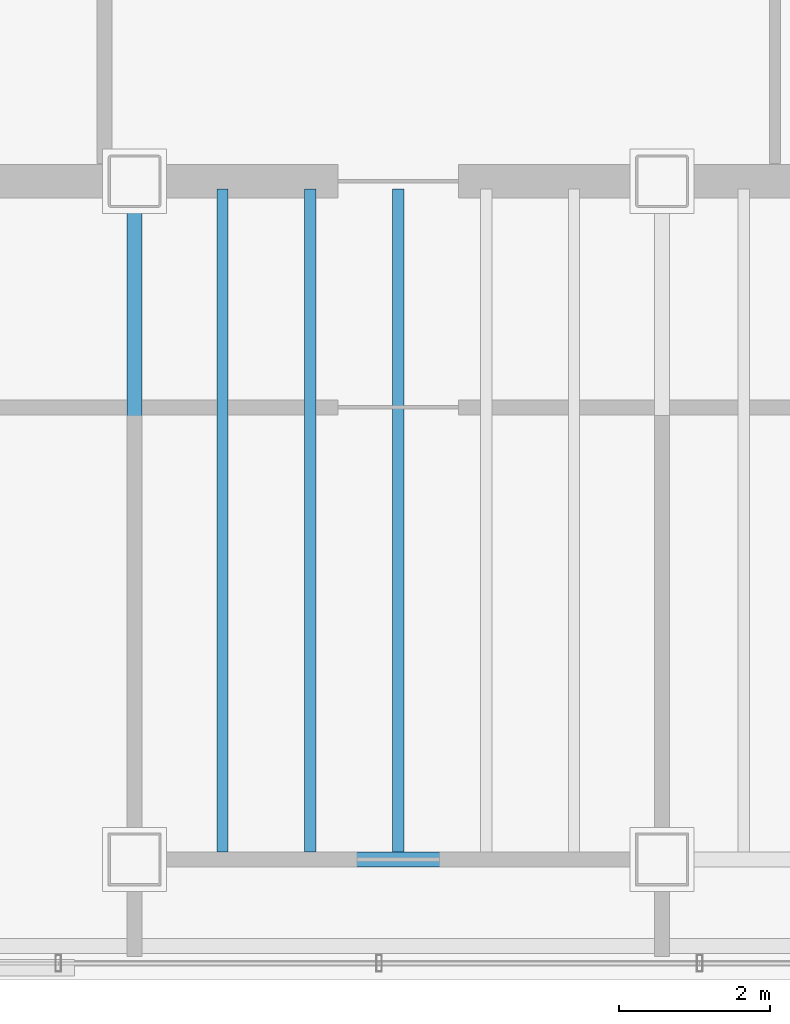
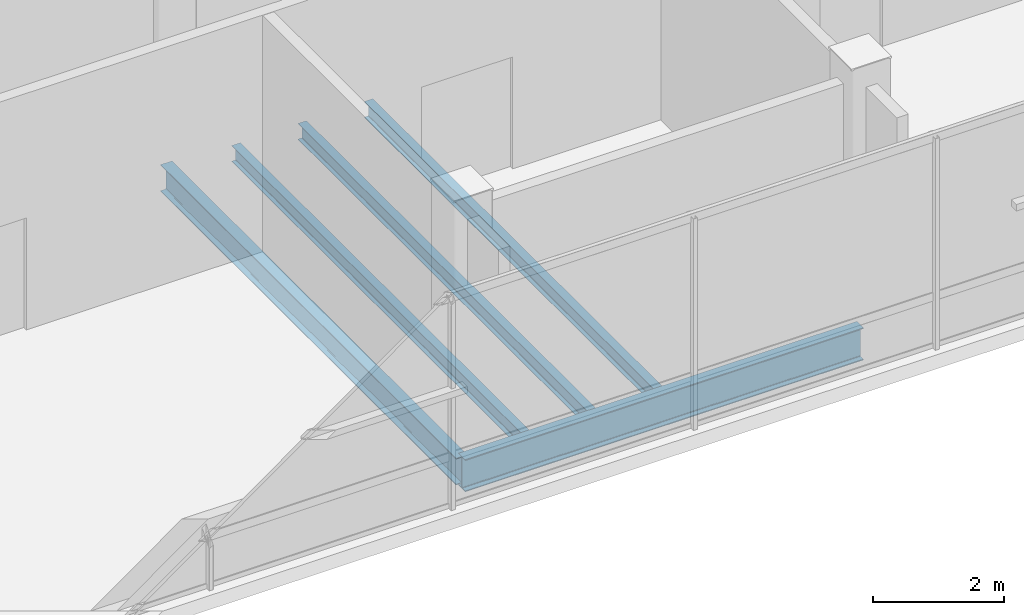
# One storey, part 4 of 20: 5 beams.
"""IFC4 building model written with IfcOpenShell, lengths in metres."""

from ifc_helpers import new_model, si_unit, direction, frame, origin, origin_2d, place, context, subcontext, project, spatial, i_section, extrude, material, material_profile, profile_set, type_object, element, save


model = new_model("IFC4")

# Units and contexts
model_context = context("Model", 3, precision=1e-05, world=origin(), true_north=direction((0.0, 1.0)))
body_context = subcontext(model_context, "Body", "Model", "MODEL_VIEW")
ifc_project = project(units=[si_unit("LENGTHUNIT", "METRE"), si_unit("AREAUNIT", "SQUARE_METRE"), si_unit("VOLUMEUNIT", "CUBIC_METRE"), si_unit("PLANEANGLEUNIT", "RADIAN"), si_unit("MASSUNIT", "GRAM", prefix="KILO")], contexts=[model_context])

# Site, building, storey
site_placement = place(None, origin())
site = spatial("IfcSite", under=ifc_project, at=site_placement, CompositionType="ELEMENT")
building_placement = place(site_placement, origin())
building = spatial("IfcBuilding", under=site, at=building_placement, Name="Noeulbin Bourse Tower", CompositionType="ELEMENT")
storey_placement = place(building_placement, frame((0.0, 0.0, 312.60009765625)))
storey = spatial("IfcBuildingStorey", under=building, at=storey_placement, Name="L77", CompositionType="ELEMENT", Elevation=312.60009765625)

# Beams
ifc_material = material(Name="Steel S355", Category="steel")
ifc_material_profile_1 = material_profile(ifc_material, i_section(OverallWidth=0.199951171875, OverallDepth=0.5, WebThickness=0.010009765625, FlangeThickness=0.01611328125, FilletRadius=0.02001953125, at=origin_2d()), Name="H-500x200x10x16", Category="LoadBearing")
ifc_profile_set_1 = profile_set([ifc_material_profile_1], Name="Steel S355")
beam_type_1 = type_object("IfcBeamType", Name="BM-GRD-500", PredefinedType="USERDEFINED", material=ifc_profile_set_1)
beam_1_placement = place(storey_placement, frame((24.0, 20.0, -0.510009765625), z_axis=(0.0, 1.0, 0.0), x_axis=(-1.0, 0.0, 0.0)))
element("IfcBeam", 1, at=beam_1_placement, inside=storey, type_object=beam_type_1, Name="Tower Primary Girder NS L77-2.1", ObjectType="GIRDER", PredefinedType="USERDEFINED", context=body_context, shape_type="SweptSolid", body=[
    extrude(i_section(OverallWidth=0.199951171875, OverallDepth=0.5, WebThickness=0.010009765625, FlangeThickness=0.01611328125, FilletRadius=0.02001953125, at=origin_2d()), origin(), (0.0, 0.0, 1.0), 9.0),
])
ifc_material_profile_2 = material_profile(ifc_material, i_section(OverallWidth=0.199951171875, OverallDepth=0.60009765625, WebThickness=0.010986328125, FlangeThickness=0.01708984375, FilletRadius=0.02197265625, at=origin_2d()), Name="H-600x200x11x17", Category="LoadBearing")
ifc_profile_set_2 = profile_set([ifc_material_profile_2], Name="Steel S355")
beam_type_2 = type_object("IfcBeamType", Name="BM-GRD-600", PredefinedType="USERDEFINED", material=ifc_profile_set_2)
beam_2_placement = place(storey_placement, frame((24.0, 20.0, -0.56005859375), z_axis=(1.0, 0.0, 0.0), x_axis=(0.0, 1.0, 0.0)))
element("IfcBeam", 2, at=beam_2_placement, inside=storey, type_object=beam_type_2, Name="Tower Primary Girder EW L77-1.1", ObjectType="GIRDER", PredefinedType="USERDEFINED", context=body_context, shape_type="SweptSolid", body=[
    extrude(i_section(OverallWidth=0.199951171875, OverallDepth=0.60009765625, WebThickness=0.010986328125, FlangeThickness=0.01708984375, FilletRadius=0.02197265625, at=origin_2d()), origin(), (0.0, 0.0, 1.0), 7.0),
])
ifc_material_profile_3 = material_profile(ifc_material, i_section(OverallWidth=0.14990234375, OverallDepth=0.300048828125, WebThickness=0.006591796875, FlangeThickness=0.009033203125, FilletRadius=0.012939453125, at=origin_2d()), Name="H-300x150x6.5x9", Category="LoadBearing")
ifc_profile_set_3 = profile_set([ifc_material_profile_3], Name="Steel S355")
beam_type_3 = type_object("IfcBeamType", Name="BM-JST-300", PredefinedType="JOIST", material=ifc_profile_set_3)
for number, where, z_axis, x_axis, name in (
    (3, (25.166748046875, 20.10009765625, -0.41015625), (0.0, 1.0, 0.0), (-1.0, 0.0, 0.0), "Tower Composite Joist L77-01"),
    (4, (26.333251953125, 20.10009765625, -0.41015625), (0.0, 1.0, 0.0), (-1.0, 0.0, 0.0), "Tower Composite Joist L77-03"),
    (5, (27.5, 20.10009765625, -0.41015625), (0.0, 1.0, 0.0), (-1.0, 0.0, 0.0), "Tower Composite Joist L77-05"),
):
    element("IfcBeam", number, at=place(storey_placement, frame(where, z_axis=z_axis, x_axis=x_axis)), inside=storey, type_object=beam_type_3, Name=name, PredefinedType="JOIST", context=body_context, shape_type="SweptSolid", body=[
        extrude(i_section(OverallWidth=0.14990234375, OverallDepth=0.300048828125, WebThickness=0.006591796875, FlangeThickness=0.009033203125, FilletRadius=0.012939453125, at=origin_2d()), origin(), (0.0, 0.0, 1.0), 8.7998046875),
    ])

save(model, "model.ifc")
